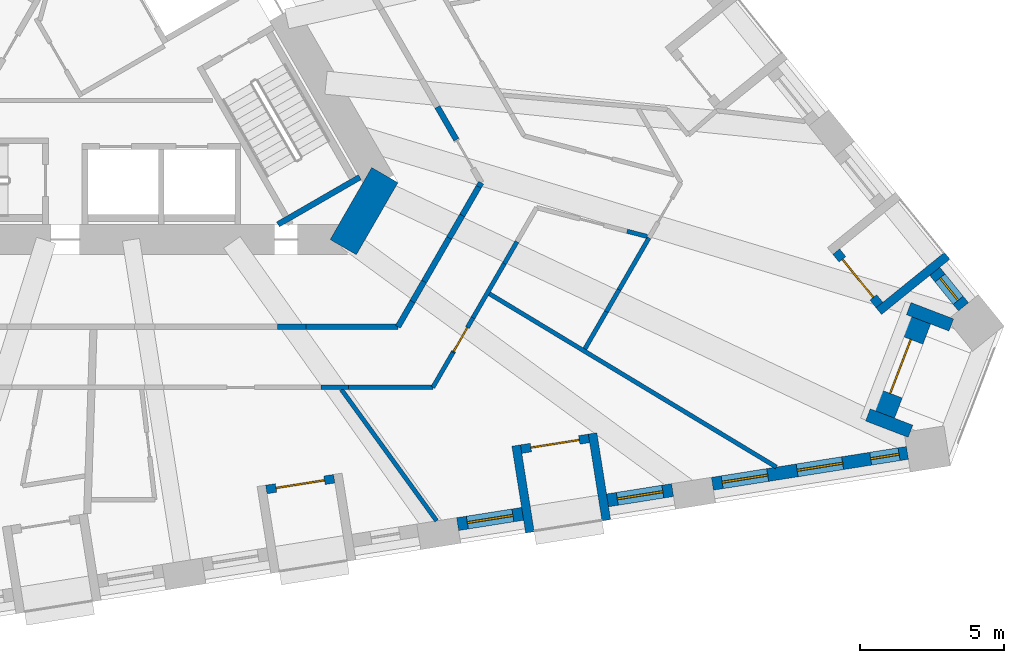
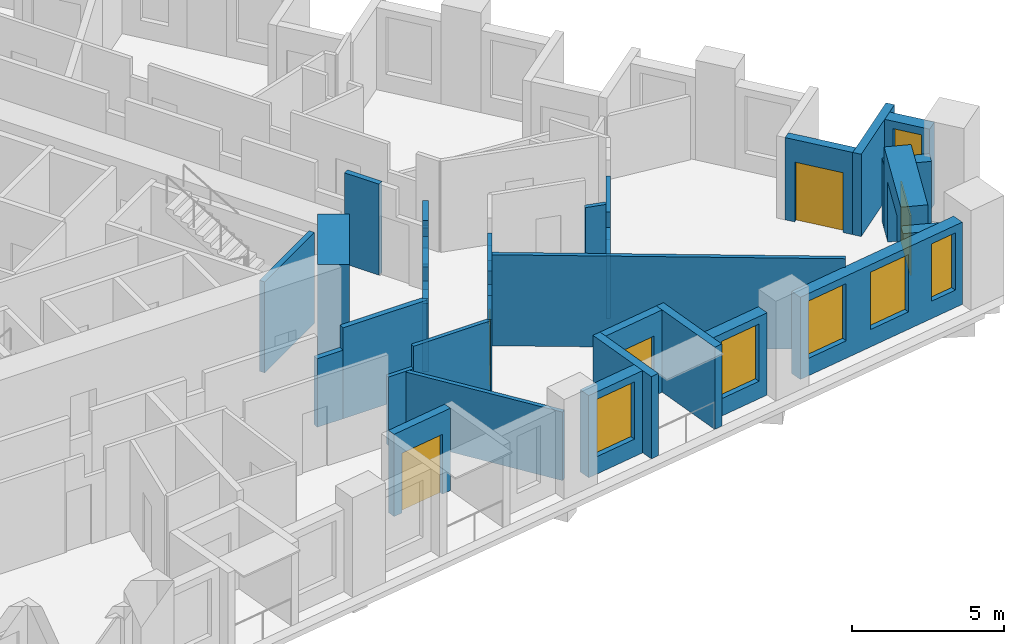
# One storey, part 6 of 14: 36 walls, 6 windows, 5 doors, 11 openings.
"""IFC4 building model written with IfcOpenShell, lengths in metres."""

from ifc_helpers import new_model, si_unit, direction, frame, frame_2d, origin, place, context, subcontext, project, spatial, polyline, rectangle, outline, extrude, material, layer, layer_set, type_object, element, fill, save


model = new_model("IFC4")

# Units and contexts
model_context = context("Model", 3, precision=1e-05, world=origin(), true_north=direction((0.0, 1.0)))
body_context = subcontext(model_context, "Body", "Model", "MODEL_VIEW")
ifc_project = project(units=[si_unit("LENGTHUNIT", "METRE"), si_unit("AREAUNIT", "SQUARE_METRE"), si_unit("VOLUMEUNIT", "CUBIC_METRE"), si_unit("PLANEANGLEUNIT", "RADIAN"), si_unit("MASSUNIT", "GRAM", prefix="KILO")], contexts=[model_context])

# Site, building, storey
site_placement = place(None, origin())
site = spatial("IfcSite", under=ifc_project, at=site_placement, CompositionType="ELEMENT")
building_placement = place(site_placement, origin())
building = spatial("IfcBuilding", under=site, at=building_placement, Name="Tramontana Tower", CompositionType="ELEMENT")
storey_placement = place(building_placement, frame((0.0, 0.0, 71.199951171875)))
storey = spatial("IfcBuildingStorey", under=building, at=storey_placement, Name="L15", CompositionType="ELEMENT", Elevation=71.199951171875)

# Walls
ifc_material_1 = material(Name="Concrete 70 MPa", Category="concrete")
ifc_layer_1 = layer(ifc_material_1, 1.050048828125)
ifc_layer_set_1 = layer_set([ifc_layer_1], Name="Core wall 1050 70 MPa")
wall_type_1 = type_object("IfcWallType", Name="Core wall 1050 70 MPa", PredefinedType="SHEAR", material=ifc_layer_set_1)
wall_1_placement = place(storey_placement, frame((8.349853515625, -6.487548828125, 0.0), z_axis=(0.0, 0.0, 1.0), x_axis=(0.499995765644, 0.866027848477, 0.0)))
element("IfcWall", 1, at=wall_1_placement, inside=storey, type_object=wall_type_1, Name="Core wall C4 L15", PredefinedType="SHEAR", context=body_context, shape_type="SweptSolid", body=[
    extrude(rectangle(XDim=2.88671875, YDim=1.050048828125, at=frame_2d((1.443359375, 0.0))), origin(), (0.0, 0.0, 1.0), 4.0),
])
ifc_material_2 = material(Name="Blockwork", Category="masonry")
ifc_layer_2 = layer(ifc_material_2, 0.199951171875)
ifc_layer_set_2 = layer_set([ifc_layer_2], Name="ENTRY WALL 200")
wall_type_2 = type_object("IfcWallType", Name="ENTRY WALL 200", PredefinedType="SOLIDWALL", material=ifc_layer_set_2)
wall_2_placement = place(storey_placement, frame((11.618408203125, -1.623779296875, 0.0), z_axis=(0.0, 0.0, 1.0), x_axis=(0.500060622324, -0.86599040064, 0.0)))
element("IfcWall", 2, at=wall_2_placement, inside=storey, type_object=wall_type_2, Name="Wall v11-ew0-8", PredefinedType="SOLIDWALL", context=body_context, shape_type="SweptSolid", body=[
    extrude(rectangle(XDim=1.312255859375, YDim=0.199951171875, at=frame_2d((0.65625, 0.0))), origin(), (0.0, 0.0, 1.0), 3.650146484375),
])
wall_3_placement = place(storey_placement, frame((13.134765625, -4.25, 0.0), z_axis=(0.0, 0.0, 1.0), x_axis=(-0.500586455622, -0.865686548612, 0.0)))
element("IfcWall", 3, at=wall_3_placement, inside=storey, type_object=wall_type_2, Name="Wall v11-ew1-0", PredefinedType="SOLIDWALL", context=body_context, shape_type="SweptSolid", body=[
    extrude(rectangle(XDim=0.171142578125, YDim=0.199951171875, at=frame_2d((0.08544921875, 0.0))), origin(), (0.0, 0.0, 1.0), 2.550048828125),
])
wall_4_placement = place(storey_placement, frame((13.049072265625, -4.398193359375, 0.0), z_axis=(0.0, 0.0, 1.0), x_axis=(-0.499889102667, -0.866089420923, 0.0)))
element("IfcWall", 4, at=wall_4_placement, inside=storey, type_object=wall_type_2, Name="Wall v11-ew1-1", PredefinedType="SOLIDWALL", context=body_context, shape_type="SweptSolid", body=[
    extrude(rectangle(XDim=1.141357421875, YDim=0.199951171875, at=frame_2d((0.57080078125, 0.0))), origin(), (0.0, 0.0, 1.0), 3.650146484375),
])
wall_5_placement = place(storey_placement, frame((12.478515625, -5.38671875, 0.0), z_axis=(0.0, 0.0, 1.0), x_axis=(-0.500151474942, -0.865937932021, 0.0)))
element("IfcWall", 5, at=wall_5_placement, inside=storey, type_object=wall_type_2, Name="Wall v11-ew1-2", PredefinedType="SOLIDWALL", context=body_context, shape_type="SweptSolid", body=[
    extrude(rectangle(XDim=0.903076171875, YDim=0.199951171875, at=frame_2d((0.45166015625, 0.0))), origin(), (0.0, 0.0, 1.0), 2.550048828125),
])
wall_6_placement = place(storey_placement, frame((12.02685546875, -6.168701171875, 0.0), z_axis=(0.0, 0.0, 1.0), x_axis=(-0.499900037626, -0.866083109396, 0.0)))
element("IfcWall", 6, at=wall_6_placement, inside=storey, type_object=wall_type_2, Name="Wall v11-ew1-3", PredefinedType="SOLIDWALL", context=body_context, shape_type="SweptSolid", body=[
    extrude(rectangle(XDim=1.745361328125, YDim=0.199951171875, at=frame_2d((0.87255859375, 0.0))), origin(), (0.0, 0.0, 1.0), 3.650146484375),
])
wall_7_placement = place(storey_placement, frame((11.154296875, -7.680419921875, 0.0), z_axis=(0.0, 0.0, 1.0), x_axis=(-0.500151261923, -0.865938055058, 0.0)))
element("IfcWall", 7, at=wall_7_placement, inside=storey, type_object=wall_type_2, Name="Wall v11-ew1-4", PredefinedType="SOLIDWALL", context=body_context, shape_type="SweptSolid", body=[
    extrude(rectangle(XDim=0.804931640625, YDim=0.199951171875, at=frame_2d((0.40234375, 0.0))), origin(), (0.0, 0.0, 1.0), 2.75),
])
wall_8_placement = place(storey_placement, frame((10.751708984375, -8.37744140625, 0.0), z_axis=(0.0, 0.0, 1.0), x_axis=(-0.499918237861, -0.866072604031, 0.0)))
element("IfcWall", 8, at=wall_8_placement, inside=storey, type_object=wall_type_2, Name="Wall v11-ew1-5", PredefinedType="SOLIDWALL", context=body_context, shape_type="SweptSolid", body=[
    extrude(rectangle(XDim=1.007568359375, YDim=0.199951171875, at=frame_2d((0.50390625, 0.0))), origin(), (0.0, 0.0, 1.0), 3.650146484375),
])
wall_9_placement = place(storey_placement, frame((10.248046875, -9.25, 0.0), z_axis=(0.0, 0.0, 1.0), x_axis=(-1.0, 0.0, 0.0)))
element("IfcWall", 9, at=wall_9_placement, inside=storey, type_object=wall_type_2, Name="Wall v11-ew2-0", PredefinedType="SOLIDWALL", context=body_context, shape_type="SweptSolid", body=[
    extrude(rectangle(XDim=3.190673828125, YDim=0.199951171875, at=frame_2d((1.59521484375, 0.0))), origin(), (0.0, 0.0, 1.0), 3.650146484375),
])
wall_10_placement = place(storey_placement, frame((7.057373046875, -9.25, 0.0), z_axis=(0.0, 0.0, 1.0), x_axis=(-1.0, 0.0, 0.0)))
element("IfcWall", 10, at=wall_10_placement, inside=storey, type_object=wall_type_2, Name="Wall v11-ew2-1", PredefinedType="SOLIDWALL", context=body_context, shape_type="SweptSolid", body=[
    extrude(rectangle(XDim=0.981201171875, YDim=0.199951171875, at=frame_2d((0.49072265625, 0.0))), origin(), (0.0, 0.0, 1.0), 2.75),
])

# Wall, opening, window
ifc_material_3 = material(Name="Precast concrete 60 MPa", Category="concrete")
ifc_layer_3 = layer(ifc_material_3, 0.449951171875)
ifc_layer_set_3 = layer_set([ifc_layer_3], Name="Precast concrete 60 MPa, 450 mm")
wall_type_3 = type_object("IfcWallType", Name="EW1 Stone-faced precast wall 450", PredefinedType="SOLIDWALL", material=ifc_layer_set_3)
wall_11_placement = place(storey_placement, frame((12.318603515625, -16.09619140625, 0.0), z_axis=(0.0, 0.0, 1.0), x_axis=(0.987685675151, 0.156451293065, 0.0)))
wall_11 = element("IfcWall", 11, at=wall_11_placement, inside=storey, type_object=wall_type_3, Name="External wall L15 face 1 bay 5", PredefinedType="SOLIDWALL", context=body_context, shape_type="SweptSolid", body=[
    extrude(rectangle(XDim=2.282958984375, YDim=0.449951171875, at=frame_2d((1.1416015625, 0.0))), origin(), (0.0, 0.0, 1.0), 3.300048828125),
])
opening_1_placement = place(wall_11_placement, frame((0.341552734375, 0.0, 0.699951171875)))
opening_1 = element("IfcOpeningElement", 12, at=opening_1_placement, cuts=wall_11, Name="Opening M1", PredefinedType="OPENING", context=body_context, shape_type="SweptSolid", body=[
    extrude(rectangle(XDim=1.60009765625, YDim=2.300048828125, at=frame_2d((0.800048828125, 1.14990234375))), frame((0.0, 0.23486328125, 0.0), z_axis=(0.0, -1.0, 0.0), x_axis=(1.0, 0.0, 0.0)), (0.0, 0.0, 1.0), 0.469970703125),
])
ifc_material_4 = material(Name="Aluminum frame, double glazing unit", Category="aluminium")
window_type_1 = type_object("IfcWindowType", Name="M1 Window 1.6 x 2.3", PartitioningType="SINGLE_PANEL", PredefinedType="WINDOW", material=ifc_material_4)
window_1_placement = place(opening_1_placement, origin())
window_1 = element("IfcWindow", 13, at=window_1_placement, inside=storey, type_object=window_type_1, Name="Window M1 L15 face 1 module 13", OverallHeight=2.300048828125, OverallWidth=1.60009765625, PartitioningType="SINGLE_PANEL", PredefinedType="WINDOW", context=body_context, shape_type="SweptSolid", body=[
    extrude(rectangle(XDim=1.60009765625, YDim=2.300048828125, at=frame_2d((0.800048828125, 1.14990234375))), frame((0.0, 0.030029296875, 0.0), z_axis=(0.0, -1.0, 0.0), x_axis=(1.0, 0.0, 0.0)), (0.0, 0.0, 1.0), 0.06005859375),
])
fill(opening_1, window_1)

wall_12_placement = place(storey_placement, frame((17.519775390625, -15.2724609375, 0.0), z_axis=(0.0, 0.0, 1.0), x_axis=(0.987685675151, 0.156451293065, 0.0)))
wall_12 = element("IfcWall", 14, at=wall_12_placement, inside=storey, type_object=wall_type_3, Name="External wall L15 face 1 bay 5", PredefinedType="SOLIDWALL", context=body_context, shape_type="SweptSolid", body=[
    extrude(rectangle(XDim=2.282958984375, YDim=0.449951171875, at=frame_2d((1.1416015625, 0.0))), origin(), (0.0, 0.0, 1.0), 3.300048828125),
])
opening_2_placement = place(wall_12_placement, frame((0.341552734375, 0.0, 0.699951171875)))
opening_2 = element("IfcOpeningElement", 15, at=opening_2_placement, cuts=wall_12, Name="Opening M1", PredefinedType="OPENING", context=body_context, shape_type="SweptSolid", body=[
    extrude(rectangle(XDim=1.60009765625, YDim=2.300048828125, at=frame_2d((0.800048828125, 1.14990234375))), frame((0.0, 0.23486328125, 0.0), z_axis=(0.0, -1.0, 0.0), x_axis=(1.0, 0.0, 0.0)), (0.0, 0.0, 1.0), 0.469970703125),
])
window_2_placement = place(opening_2_placement, origin())
window_2 = element("IfcWindow", 16, at=window_2_placement, inside=storey, type_object=window_type_1, Name="Window M1 L15 face 1 module 15", OverallHeight=2.300048828125, OverallWidth=1.60009765625, PartitioningType="SINGLE_PANEL", PredefinedType="WINDOW", context=body_context, shape_type="SweptSolid", body=[
    extrude(rectangle(XDim=1.60009765625, YDim=2.300048828125, at=frame_2d((0.800048828125, 1.14990234375))), frame((0.0, 0.030029296875, 0.0), z_axis=(0.0, -1.0, 0.0), x_axis=(1.0, 0.0, 0.0)), (0.0, 0.0, 1.0), 0.06005859375),
])
fill(opening_2, window_2)

# Wall, openings, windows
wall_13_placement = place(storey_placement, frame((21.1572265625, -14.6962890625, 0.0), z_axis=(0.0, 0.0, 1.0), x_axis=(0.987685675151, 0.156451293065, 0.0)))
wall_13 = element("IfcWall", 17, at=wall_13_placement, inside=storey, type_object=wall_type_3, Name="External wall L15 face 1 bay 6", PredefinedType="SOLIDWALL", context=body_context, shape_type="SweptSolid", body=[
    extrude(rectangle(XDim=6.848876953125, YDim=0.449951171875, at=frame_2d((3.42431640625, 0.0))), origin(), (0.0, 0.0, 1.0), 3.300048828125),
])
opening_3_placement = place(wall_13_placement, frame((0.341552734375, 0.0, 0.699951171875)))
opening_3 = element("IfcOpeningElement", 18, at=opening_3_placement, cuts=wall_13, Name="Opening M1", PredefinedType="OPENING", context=body_context, shape_type="SweptSolid", body=[
    extrude(rectangle(XDim=1.60009765625, YDim=2.300048828125, at=frame_2d((0.800048828125, 1.14990234375))), frame((0.0, 0.23486328125, 0.0), z_axis=(0.0, -1.0, 0.0), x_axis=(1.0, 0.0, 0.0)), (0.0, 0.0, 1.0), 0.469970703125),
])
opening_4_placement = place(wall_13_placement, frame((2.974365234375, 0.0, 0.699951171875)))
opening_4 = element("IfcOpeningElement", 19, at=opening_4_placement, cuts=wall_13, Name="Opening M1", PredefinedType="OPENING", context=body_context, shape_type="SweptSolid", body=[
    extrude(rectangle(XDim=1.60009765625, YDim=2.300048828125, at=frame_2d((0.800048828125, 1.14990234375))), frame((0.0, 0.23486328125, 0.0), z_axis=(0.0, -1.0, 0.0), x_axis=(1.0, 0.0, 0.0)), (0.0, 0.0, 1.0), 0.469970703125),
])
opening_5_placement = place(wall_13_placement, frame((5.557373046875, 0.0, 0.699951171875)))
opening_5 = element("IfcOpeningElement", 20, at=opening_5_placement, cuts=wall_13, Name="Opening N1", PredefinedType="OPENING", context=body_context, shape_type="SweptSolid", body=[
    extrude(rectangle(XDim=1.0, YDim=2.300048828125, at=frame_2d((0.5, 1.14990234375))), frame((0.0, 0.23486328125, 0.0), z_axis=(0.0, -1.0, 0.0), x_axis=(1.0, 0.0, 0.0)), (0.0, 0.0, 1.0), 0.469970703125),
])
window_3_placement = place(opening_3_placement, origin())
window_3 = element("IfcWindow", 21, at=window_3_placement, inside=storey, type_object=window_type_1, Name="Window M1 L15 face 1 module 16", OverallHeight=2.300048828125, OverallWidth=1.60009765625, PartitioningType="SINGLE_PANEL", PredefinedType="WINDOW", context=body_context, shape_type="SweptSolid", body=[
    extrude(rectangle(XDim=1.60009765625, YDim=2.300048828125, at=frame_2d((0.800048828125, 1.14990234375))), frame((0.0, 0.030029296875, 0.0), z_axis=(0.0, -1.0, 0.0), x_axis=(1.0, 0.0, 0.0)), (0.0, 0.0, 1.0), 0.06005859375),
])
fill(opening_3, window_3)
window_4_placement = place(opening_4_placement, origin())
window_4 = element("IfcWindow", 22, at=window_4_placement, inside=storey, type_object=window_type_1, Name="Window M1 L15 face 1 module 17", OverallHeight=2.300048828125, OverallWidth=1.60009765625, PartitioningType="SINGLE_PANEL", PredefinedType="WINDOW", context=body_context, shape_type="SweptSolid", body=[
    extrude(rectangle(XDim=1.60009765625, YDim=2.300048828125, at=frame_2d((0.800048828125, 1.14990234375))), frame((0.0, 0.030029296875, 0.0), z_axis=(0.0, -1.0, 0.0), x_axis=(1.0, 0.0, 0.0)), (0.0, 0.0, 1.0), 0.06005859375),
])
fill(opening_4, window_4)
ifc_material_5 = material(Name="Aluminum frame, double glazing unit", Category="aluminium")
window_type_2 = type_object("IfcWindowType", Name="N1 Window 1 x 2.3", PartitioningType="SINGLE_PANEL", PredefinedType="WINDOW", material=ifc_material_5)
window_5_placement = place(opening_5_placement, origin())
window_5 = element("IfcWindow", 23, at=window_5_placement, inside=storey, type_object=window_type_2, Name="Window N1 L15 face 1 module 18", OverallHeight=2.300048828125, OverallWidth=1.0, PartitioningType="SINGLE_PANEL", PredefinedType="WINDOW", context=body_context, shape_type="SweptSolid", body=[
    extrude(rectangle(XDim=1.0, YDim=2.300048828125, at=frame_2d((0.5, 1.14990234375))), frame((0.0, 0.030029296875, 0.0), z_axis=(0.0, -1.0, 0.0), x_axis=(1.0, 0.0, 0.0)), (0.0, 0.0, 1.0), 0.06005859375),
])
fill(opening_5, window_5)

# Wall, opening, window
wall_14_placement = place(storey_placement, frame((29.86669921875, -8.558349609375, 0.0), z_axis=(0.0, 0.0, 1.0), x_axis=(-0.629273652342, 0.77718380739, 0.0)))
wall_14 = element("IfcWall", 24, at=wall_14_placement, inside=storey, type_object=wall_type_3, Name="External wall L15 face 2 bay 1", PredefinedType="SOLIDWALL", context=body_context, shape_type="SweptSolid", body=[
    extrude(rectangle(XDim=1.5830078125, YDim=0.449951171875, at=frame_2d((0.79150390625, 0.0))), origin(), (0.0, 0.0, 1.0), 3.300048828125),
])
opening_6_placement = place(wall_14_placement, frame((0.29150390625, 0.0, 0.699951171875)))
opening_6 = element("IfcOpeningElement", 25, at=opening_6_placement, cuts=wall_14, Name="Opening N1", PredefinedType="OPENING", context=body_context, shape_type="SweptSolid", body=[
    extrude(rectangle(XDim=1.0, YDim=2.300048828125, at=frame_2d((0.5, 1.14990234375))), frame((0.0, 0.23486328125, 0.0), z_axis=(0.0, -1.0, 0.0), x_axis=(1.0, 0.0, 0.0)), (0.0, 0.0, 1.0), 0.469970703125),
])
window_6_placement = place(opening_6_placement, origin())
window_6 = element("IfcWindow", 26, at=window_6_placement, inside=storey, type_object=window_type_2, Name="Window N1 L15 face 2 module 1", OverallHeight=2.300048828125, OverallWidth=1.0, PartitioningType="SINGLE_PANEL", PredefinedType="WINDOW", context=body_context, shape_type="SweptSolid", body=[
    extrude(rectangle(XDim=1.0, YDim=2.300048828125, at=frame_2d((0.5, 1.14990234375))), frame((0.0, 0.030029296875, 0.0), z_axis=(0.0, -1.0, 0.0), x_axis=(1.0, 0.0, 0.0)), (0.0, 0.0, 1.0), 0.06005859375),
])
fill(opening_6, window_6)

# Walls
for number, where, z_axis, x_axis, name in (
    (27, (29.442626953125, -9.1865234375, 0.0), (0.0, 0.0, 1.0), (-0.93358843832, 0.358347077335, 0.0), "Corner loggia side wall L15 K12l"),
    (28, (28.027099609375, -12.8740234375, 0.0), (0.0, 0.0, 1.0), (-0.93358843832, 0.358347077335, 0.0), "Corner loggia side wall L15 K12r"),
):
    element("IfcWall", number, at=place(storey_placement, frame(where, z_axis=z_axis, x_axis=x_axis)), inside=storey, type_object=wall_type_3, Name=name, PredefinedType="SOLIDWALL", context=body_context, shape_type="SweptSolid", body=[
        extrude(rectangle(XDim=1.579345703125, YDim=0.449951171875, at=frame_2d((0.78955078125, 0.0))), origin(), (0.0, 0.0, 1.0), 2.550048828125),
    ])

# Wall, opening, door
ifc_material_6 = material(Name="Precast concrete 60 MPa", Category="concrete")
ifc_layer_4 = layer(ifc_material_6, 0.89990234375)
ifc_layer_set_4 = layer_set([ifc_layer_4], Name="EW2 Stone-faced corner loggia wall 900")
wall_type_4 = type_object("IfcWallType", Name="EW2 Stone-faced corner loggia wall 900", PredefinedType="SOLIDWALL", material=ifc_layer_set_4)
wall_15_placement = place(storey_placement, frame((28.307861328125, -8.991943359375, 0.0), z_axis=(0.0, 0.0, 1.0), x_axis=(-0.35841340332, -0.933562977158, 0.0)))
wall_15 = element("IfcWall", 29, at=wall_15_placement, inside=storey, type_object=wall_type_4, Name="Corner loggia wall L15 K12", PredefinedType="SOLIDWALL", context=body_context, shape_type="SweptSolid", body=[
    extrude(rectangle(XDim=3.499755859375, YDim=0.89990234375, at=frame_2d((1.75, 0.0))), origin(), (0.0, 0.0, 1.0), 3.300048828125),
])
opening_7_placement = place(wall_15_placement, frame((0.75, 0.0, 0.0)))
opening_7 = element("IfcOpeningElement", 30, at=opening_7_placement, cuts=wall_15, Name="Opening BD-12C", PredefinedType="OPENING", context=body_context, shape_type="SweptSolid", body=[
    extrude(rectangle(XDim=2.0, YDim=2.39990234375, at=frame_2d((1.0, 1.199951171875))), frame((0.0, 0.4599609375, 0.0), z_axis=(0.0, -1.0, 0.0), x_axis=(1.0, 0.0, 0.0)), (0.0, 0.0, 1.0), 0.919921875),
])
ifc_material_7 = material(Name="Aluminum frame, double glazing unit", Category="aluminium")
door_type_1 = type_object("IfcDoorType", Name="BC1 Sliding door 2 x 2.4", OperationType="SLIDING_TO_LEFT", PredefinedType="DOOR", material=ifc_material_7)
door_1_placement = place(opening_7_placement, origin())
door_1 = element("IfcDoor", 31, at=door_1_placement, inside=storey, type_object=door_type_1, Name="Corner loggia door L15 K12", OperationType="SLIDING_TO_LEFT", OverallHeight=2.39990234375, OverallWidth=2.0, PredefinedType="DOOR", context=body_context, shape_type="SweptSolid", body=[
    extrude(rectangle(XDim=2.0, YDim=2.39990234375, at=frame_2d((1.0, 1.199951171875))), frame((0.0, 0.02490234375, 0.0), z_axis=(0.0, -1.0, 0.0), x_axis=(1.0, 0.0, 0.0)), (0.0, 0.0, 1.0), 0.050048828125),
])
fill(opening_7, door_1)

ifc_material_8 = material(Name="Precast concrete 60 MPa", Category="concrete")
ifc_layer_5 = layer(ifc_material_8, 0.300048828125)
ifc_layer_set_5 = layer_set([ifc_layer_5], Name="LW1 Stone-faced loggia wall 300")
wall_type_5 = type_object("IfcWallType", Name="LW1 Stone-faced loggia wall 300", PredefinedType="SOLIDWALL", material=ifc_layer_set_5)
wall_16_placement = place(storey_placement, frame((5.682861328125, -14.894287109375, 0.0), z_axis=(0.0, 0.0, 1.0), x_axis=(0.987688093492, 0.15643602518, 0.0)))
wall_16 = element("IfcWall", 32, at=wall_16_placement, inside=storey, type_object=wall_type_5, Name="Loggia wall L15 G1S1.10", PredefinedType="SOLIDWALL", context=body_context, shape_type="SweptSolid", body=[
    extrude(rectangle(XDim=2.383056640625, YDim=0.300048828125, at=frame_2d((1.19140625, 0.0))), origin(), (0.0, 0.0, 1.0), 3.300048828125),
])
opening_8_placement = place(wall_16_placement, frame((0.341552734375, 0.0, 0.0)))
opening_8 = element("IfcOpeningElement", 33, at=opening_8_placement, cuts=wall_16, Name="Opening BD-1S1-10", PredefinedType="OPENING", context=body_context, shape_type="SweptSolid", body=[
    extrude(rectangle(XDim=1.699951171875, YDim=2.39990234375, at=frame_2d((0.85009765625, 1.199951171875))), frame((0.0, 0.159912109375, 0.0), z_axis=(0.0, -1.0, 0.0), x_axis=(1.0, 0.0, 0.0)), (0.0, 0.0, 1.0), 0.320068359375),
])
ifc_material_9 = material(Name="Aluminum frame, double glazing unit", Category="aluminium")
door_type_2 = type_object("IfcDoorType", Name="BD1 Sliding door 1.7 x 2.4", OperationType="SLIDING_TO_LEFT", PredefinedType="DOOR", material=ifc_material_9)
door_2_placement = place(opening_8_placement, origin())
door_2 = element("IfcDoor", 34, at=door_2_placement, inside=storey, type_object=door_type_2, Name="Loggia door L15 G1S1.10", OperationType="SLIDING_TO_LEFT", OverallHeight=2.39990234375, OverallWidth=1.699951171875, PredefinedType="DOOR", context=body_context, shape_type="SweptSolid", body=[
    extrude(rectangle(XDim=1.699951171875, YDim=2.39990234375, at=frame_2d((0.85009765625, 1.199951171875))), frame((0.0, 0.02490234375, 0.0), z_axis=(0.0, -1.0, 0.0), x_axis=(1.0, 0.0, 0.0)), (0.0, 0.0, 1.0), 0.050048828125),
])
fill(opening_8, door_2)

wall_17_placement = place(storey_placement, frame((14.521728515625, -13.494384765625, 0.0), z_axis=(0.0, 0.0, 1.0), x_axis=(0.987685586014, 0.156451855793, 0.0)))
wall_17 = element("IfcWall", 35, at=wall_17_placement, inside=storey, type_object=wall_type_5, Name="Loggia wall L15 G1S1.13", PredefinedType="SOLIDWALL", context=body_context, shape_type="SweptSolid", body=[
    extrude(rectangle(XDim=2.3828125, YDim=0.300048828125, at=frame_2d((1.19140625, 0.0))), origin(), (0.0, 0.0, 1.0), 3.300048828125),
])
opening_9_placement = place(wall_17_placement, frame((0.341552734375, 0.0, 0.0)))
opening_9 = element("IfcOpeningElement", 36, at=opening_9_placement, cuts=wall_17, Name="Opening BD-1S1-13", PredefinedType="OPENING", context=body_context, shape_type="SweptSolid", body=[
    extrude(rectangle(XDim=1.699951171875, YDim=2.39990234375, at=frame_2d((0.85009765625, 1.199951171875))), frame((0.0, 0.159912109375, 0.0), z_axis=(0.0, -1.0, 0.0), x_axis=(1.0, 0.0, 0.0)), (0.0, 0.0, 1.0), 0.320068359375),
])
door_3_placement = place(opening_9_placement, origin())
door_3 = element("IfcDoor", 37, at=door_3_placement, inside=storey, type_object=door_type_2, Name="Loggia door L15 G1S1.13", OperationType="SLIDING_TO_LEFT", OverallHeight=2.39990234375, OverallWidth=1.699951171875, PredefinedType="DOOR", context=body_context, shape_type="SweptSolid", body=[
    extrude(rectangle(XDim=1.699951171875, YDim=2.39990234375, at=frame_2d((0.85009765625, 1.199951171875))), frame((0.0, 0.02490234375, 0.0), z_axis=(0.0, -1.0, 0.0), x_axis=(1.0, 0.0, 0.0)), (0.0, 0.0, 1.0), 0.050048828125),
])
fill(opening_9, door_3)

# Walls
for number, where, z_axis, x_axis, name in (
    (38, (14.8271484375, -16.38232421875, 0.0), (0.0, 0.0, 1.0), (-0.156410600741, 0.987692120033, 0.0), "Loggia return L15 G1S1.13a"),
    (39, (17.47705078125, -15.96240234375, 0.0), (0.0, 0.0, 1.0), (-0.156410600741, 0.987692120033, 0.0), "Loggia return L15 G1S1.13b"),
):
    element("IfcWall", number, at=place(storey_placement, frame(where, z_axis=z_axis, x_axis=x_axis)), inside=storey, type_object=wall_type_5, Name=name, PredefinedType="SOLIDWALL", context=body_context, shape_type="SweptSolid", body=[
        extrude(rectangle(XDim=3.050048828125, YDim=0.300048828125, at=frame_2d((1.52490234375, 0.0))), origin(), (0.0, 0.0, 1.0), 3.300048828125),
    ])

# Wall, opening, door
wall_18_placement = place(storey_placement, frame((26.95263671875, -8.4951171875, 0.0), z_axis=(0.0, 0.0, 1.0), x_axis=(-0.62930727886, 0.777156579316, 0.0)))
wall_18 = element("IfcWall", 40, at=wall_18_placement, inside=storey, type_object=wall_type_5, Name="Loggia wall L15 G1S2.1", PredefinedType="SOLIDWALL", context=body_context, shape_type="SweptSolid", body=[
    extrude(rectangle(XDim=2.3828125, YDim=0.300048828125, at=frame_2d((1.19140625, 0.0))), origin(), (0.0, 0.0, 1.0), 3.300048828125),
])
opening_10_placement = place(wall_18_placement, frame((0.341552734375, 0.0, 0.0)))
opening_10 = element("IfcOpeningElement", 41, at=opening_10_placement, cuts=wall_18, Name="Opening BD-1S2-01", PredefinedType="OPENING", context=body_context, shape_type="SweptSolid", body=[
    extrude(rectangle(XDim=1.699951171875, YDim=2.39990234375, at=frame_2d((0.85009765625, 1.199951171875))), frame((0.0, 0.159912109375, 0.0), z_axis=(0.0, -1.0, 0.0), x_axis=(1.0, 0.0, 0.0)), (0.0, 0.0, 1.0), 0.320068359375),
])
door_4_placement = place(opening_10_placement, origin())
door_4 = element("IfcDoor", 42, at=door_4_placement, inside=storey, type_object=door_type_2, Name="Loggia door L15 G1S2.1", OperationType="SLIDING_TO_LEFT", OverallHeight=2.39990234375, OverallWidth=1.699951171875, PredefinedType="DOOR", context=body_context, shape_type="SweptSolid", body=[
    extrude(rectangle(XDim=1.699951171875, YDim=2.39990234375, at=frame_2d((0.85009765625, 1.199951171875))), frame((0.0, 0.02490234375, 0.0), z_axis=(0.0, -1.0, 0.0), x_axis=(1.0, 0.0, 0.0)), (0.0, 0.0, 1.0), 0.050048828125),
])
fill(opening_10, door_4)

# Walls
wall_19_placement = place(storey_placement, frame((29.30078125, -6.78662109375, 0.0), z_axis=(0.0, 0.0, 1.0), x_axis=(-0.777153523895, -0.629311052102, 0.0)))
element("IfcWall", 43, at=wall_19_placement, inside=storey, type_object=wall_type_5, Name="Loggia return L15 G1S2.1a", PredefinedType="SOLIDWALL", context=body_context, shape_type="SweptSolid", body=[
    extrude(rectangle(XDim=3.050048828125, YDim=0.300048828125, at=frame_2d((1.52490234375, 0.0))), origin(), (0.0, 0.0, 1.0), 3.300048828125),
])
ifc_material_10 = material(Name="Gypsum board partition")
ifc_layer_6 = layer(ifc_material_10, 0.14990234375)
ifc_layer_set_6 = layer_set([ifc_layer_6], Name="PARTITION 150")
wall_type_6 = type_object("IfcWallType", Name="PARTITION 150", PredefinedType="PARTITIONING", material=ifc_layer_set_6)
wall_20_placement = place(storey_placement, frame((11.46044921875, -11.35009765625, 0.0), z_axis=(0.0, 0.0, 1.0), x_axis=(-1.0, 0.0, 0.0)))
element("IfcWall", 44, at=wall_20_placement, inside=storey, type_object=wall_type_6, Name="Wall v11-pw43-0", PredefinedType="PARTITIONING", context=body_context, shape_type="SweptSolid", body=[
    extrude(rectangle(XDim=2.927734375, YDim=0.14990234375, at=frame_2d((1.4638671875, 0.0))), origin(), (0.0, 0.0, 1.0), 3.650146484375),
])
wall_21_placement = place(storey_placement, frame((8.53271484375, -11.35009765625, 0.0), z_axis=(0.0, 0.0, 1.0), x_axis=(-1.0, 0.0, 0.0)))
element("IfcWall", 45, at=wall_21_placement, inside=storey, type_object=wall_type_6, Name="Wall v11-pw43-1", PredefinedType="PARTITIONING", context=body_context, shape_type="SweptSolid", body=[
    extrude(rectangle(XDim=0.950439453125, YDim=0.14990234375, at=frame_2d((0.47509765625, 0.0))), origin(), (0.0, 0.0, 1.0), 2.75),
])
wall_22_placement = place(storey_placement, frame((11.592041015625, -15.9833984375, 0.0), z_axis=(0.0, 0.0, 1.0), x_axis=(-0.587096160598, 0.809517200689, 0.0)))
element("IfcWall", 46, at=wall_22_placement, inside=storey, type_object=wall_type_6, Name="Wall v11-pw44-0", PredefinedType="PARTITIONING", context=body_context, shape_type="SweptSolid", body=[
    extrude(rectangle(XDim=5.630859375, YDim=0.14990234375, at=frame_2d((2.8154296875, 0.0))), origin(), (0.0, 0.0, 1.0), 2.75),
])
wall_23_placement = place(storey_placement, frame((14.378173828125, -6.296142578125, 0.0), z_axis=(0.0, 0.0, 1.0), x_axis=(-0.49990697594, -0.86607910459, 0.0)))
element("IfcWall", 47, at=wall_23_placement, inside=storey, type_object=wall_type_6, Name="Wall v11-pw51-1", PredefinedType="PARTITIONING", context=body_context, shape_type="SweptSolid", body=[
    extrude(rectangle(XDim=0.878173828125, YDim=0.14990234375, at=frame_2d((0.43896484375, 0.0))), origin(), (0.0, 0.0, 1.0), 2.550048828125),
])
wall_24_placement = place(storey_placement, frame((13.939208984375, -7.056640625, 0.0), z_axis=(0.0, 0.0, 1.0), x_axis=(-0.499978335414, -0.866037911478, 0.0)))
element("IfcWall", 48, at=wall_24_placement, inside=storey, type_object=wall_type_6, Name="Wall v11-pw51-2", PredefinedType="PARTITIONING", context=body_context, shape_type="SweptSolid", body=[
    extrude(rectangle(XDim=2.1748046875, YDim=0.14990234375, at=frame_2d((1.08740234375, 0.0))), origin(), (0.0, 0.0, 1.0), 3.650146484375),
])

# Wall, opening, door
wall_25_placement = place(storey_placement, frame((12.851806640625, -8.940185546875, 0.0), z_axis=(0.0, 0.0, 1.0), x_axis=(-0.500087364259, -0.86597495813, 0.0)))
wall_25 = element("IfcWall", 49, at=wall_25_placement, inside=storey, type_object=wall_type_6, Name="Wall v11-pw51-3", PredefinedType="PARTITIONING", context=body_context, shape_type="SweptSolid", body=[
    extrude(outline(polyline([(0.0, 0.0), (1.389892578125, 0.0), (1.389892578125, 3.650146484375), (0.779541015625, 3.650146484375), (0.779541015625, 2.75), (0.0, 2.75), (0.0, 0.0)])), frame((0.0, 0.074951171875, 0.0), z_axis=(0.0, -1.0, 0.0), x_axis=(1.0, 0.0, 0.0)), (0.0, 0.0, 1.0), 0.14990234375),
])
opening_11_placement = place(wall_25_placement, frame((0.389892578125, 0.0, 0.0)))
opening_11 = element("IfcOpeningElement", 50, at=opening_11_placement, cuts=wall_25, Name="Opening B1B-23", PredefinedType="OPENING", context=body_context, shape_type="SweptSolid", body=[
    extrude(rectangle(XDim=0.949951171875, YDim=2.39990234375, at=frame_2d((0.47509765625, 1.199951171875))), frame((0.0, 0.0849609375, 0.0), z_axis=(0.0, -1.0, 0.0), x_axis=(1.0, 0.0, 0.0)), (0.0, 0.0, 1.0), 0.169921875),
])
ifc_material_11 = material(Name="Painted timber", Category="wood")
door_type_3 = type_object("IfcDoorType", Name="DOOR ROOM 950", OperationType="SINGLE_SWING_LEFT", PredefinedType="DOOR", material=ifc_material_11)
door_5_placement = place(opening_11_placement, origin())
door_5 = element("IfcDoor", 51, at=door_5_placement, inside=storey, type_object=door_type_3, Name="Door B1B-23", OperationType="SINGLE_SWING_LEFT", OverallHeight=2.39990234375, OverallWidth=0.949951171875, PredefinedType="DOOR", context=body_context, shape_type="SweptSolid", body=[
    extrude(rectangle(XDim=0.949951171875, YDim=2.39990234375, at=frame_2d((0.47509765625, 1.199951171875))), frame((0.0, 0.02490234375, 0.0), z_axis=(0.0, -1.0, 0.0), x_axis=(1.0, 0.0, 0.0)), (0.0, 0.0, 1.0), 0.050048828125),
])
fill(opening_11, door_5)

# Walls
wall_26_placement = place(storey_placement, frame((12.15673828125, -10.143798828125, 0.0), z_axis=(0.0, 0.0, 1.0), x_axis=(-0.499909592859, -0.86607759408, 0.0)))
element("IfcWall", 52, at=wall_26_placement, inside=storey, type_object=wall_type_6, Name="Wall v11-pw51-4", PredefinedType="PARTITIONING", context=body_context, shape_type="SweptSolid", body=[
    extrude(rectangle(XDim=1.392822265625, YDim=0.14990234375, at=frame_2d((0.6962890625, 0.0))), origin(), (0.0, 0.0, 1.0), 3.650146484375),
])
wall_27_placement = place(storey_placement, frame((18.89794921875, -6.11767578125, 0.0), z_axis=(0.0, 0.0, 1.0), x_axis=(-0.967620841463, 0.252408215331, 0.0)))
element("IfcWall", 53, at=wall_27_placement, inside=storey, type_object=wall_type_6, Name="Wall v11-pw53-0", PredefinedType="PARTITIONING", context=body_context, shape_type="SweptSolid", body=[
    extrude(rectangle(XDim=0.726318359375, YDim=0.14990234375, at=frame_2d((0.36328125, 0.0))), origin(), (0.0, 0.0, 1.0), 2.550048828125),
])
wall_28_placement = place(storey_placement, frame((18.957763671875, -6.1640625, 0.0), z_axis=(0.0, 0.0, 1.0), x_axis=(-0.499939227269, -0.866060488094, 0.0)))
element("IfcWall", 54, at=wall_28_placement, inside=storey, type_object=wall_type_6, Name="Wall v11-pw55-2", PredefinedType="PARTITIONING", context=body_context, shape_type="SweptSolid", body=[
    extrude(rectangle(XDim=2.079833984375, YDim=0.14990234375, at=frame_2d((1.0400390625, 0.0))), origin(), (0.0, 0.0, 1.0), 3.650146484375),
])
wall_29_placement = place(storey_placement, frame((17.91796875, -7.96533203125, 0.0), z_axis=(0.0, 0.0, 1.0), x_axis=(-0.500115484592, -0.865958718457, 0.0)))
element("IfcWall", 55, at=wall_29_placement, inside=storey, type_object=wall_type_6, Name="Wall v11-pw55-3", PredefinedType="PARTITIONING", context=body_context, shape_type="SweptSolid", body=[
    extrude(rectangle(XDim=0.878173828125, YDim=0.14990234375, at=frame_2d((0.43896484375, 0.0))), origin(), (0.0, 0.0, 1.0), 2.550048828125),
])
wall_30_placement = place(storey_placement, frame((17.478759765625, -8.725830078125, 0.0), z_axis=(0.0, 0.0, 1.0), x_axis=(-0.500048435424, -0.865997437773, 0.0)))
element("IfcWall", 56, at=wall_30_placement, inside=storey, type_object=wall_type_6, Name="Wall v11-pw55-4", PredefinedType="PARTITIONING", context=body_context, shape_type="SweptSolid", body=[
    extrude(rectangle(XDim=1.490966796875, YDim=0.14990234375, at=frame_2d((0.74560546875, 0.0))), origin(), (0.0, 0.0, 1.0), 3.650146484375),
])
wall_31_placement = place(storey_placement, frame((23.376953125, -14.11669921875, 0.0), z_axis=(0.0, 0.0, 1.0), x_axis=(-0.856026239053, 0.516932372803, 0.0)))
element("IfcWall", 57, at=wall_31_placement, inside=storey, type_object=wall_type_6, Name="Wall v11-pw58", PredefinedType="PARTITIONING", context=body_context, shape_type="SweptSolid", body=[
    extrude(rectangle(XDim=11.630615234375, YDim=0.14990234375, at=frame_2d((5.8154296875, 0.0))), origin(), (0.0, 0.0, 1.0), 3.650146484375),
])
ifc_material_12 = material(Name="Concrete 70 MPa", Category="concrete")
ifc_layer_7 = layer(ifc_material_12, 0.199951171875)
ifc_layer_set_7 = layer_set([ifc_layer_7], Name="Concrete 70 MPa, 200 mm")
wall_type_7 = type_object("IfcWallType", Name="RC STAIR AND SHAFT WALL 200", PredefinedType="SOLIDWALL", material=ifc_layer_set_7)
wall_32_placement = place(storey_placement, frame((6.08740234375, -5.699951171875, 0.0), z_axis=(0.0, 0.0, 1.0), x_axis=(0.866006986733, 0.500031897912, 0.0)))
element("IfcWall", 58, at=wall_32_placement, inside=storey, type_object=wall_type_7, Name="Wall st3-far", PredefinedType="SOLIDWALL", context=body_context, shape_type="SweptSolid", body=[
    extrude(rectangle(XDim=3.278076171875, YDim=0.199951171875, at=frame_2d((1.63916015625, 0.0))), origin(), (0.0, 0.0, 1.0), 3.650146484375),
])

save(model, "model.ifc")
